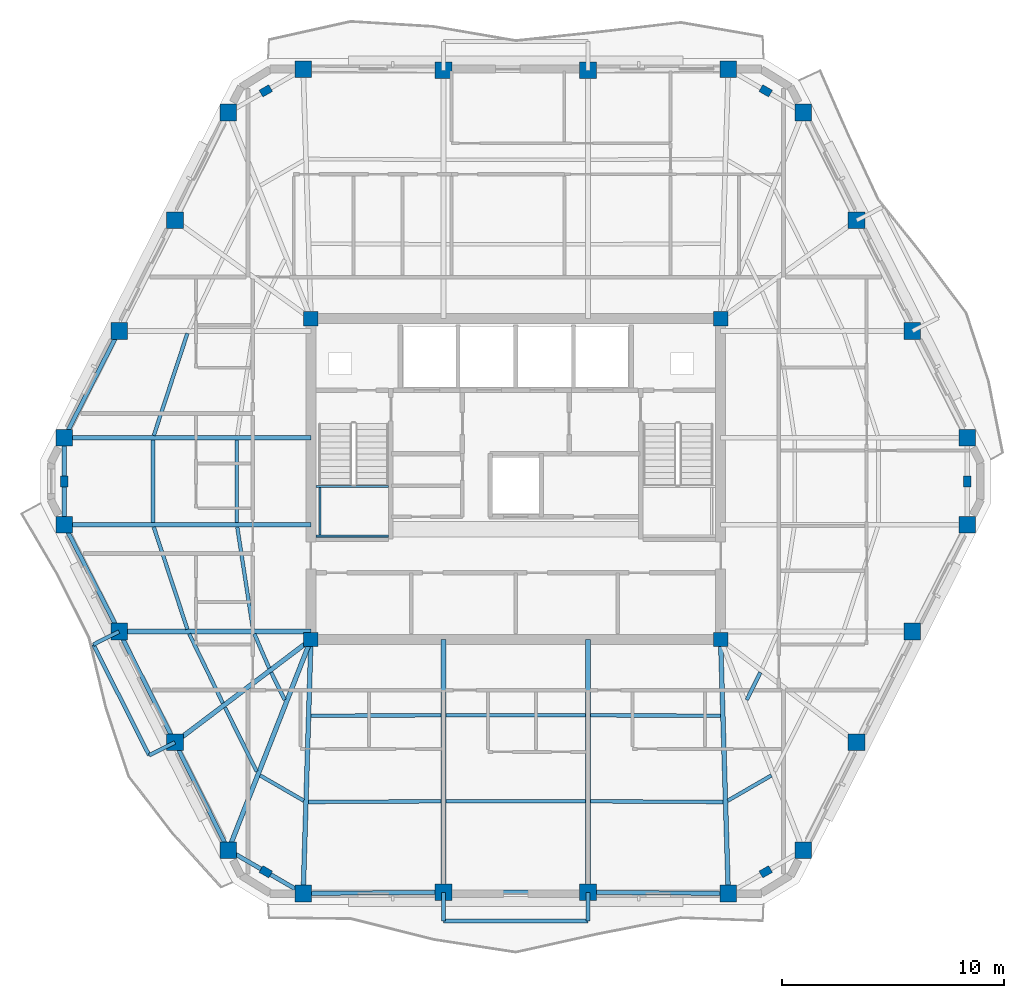
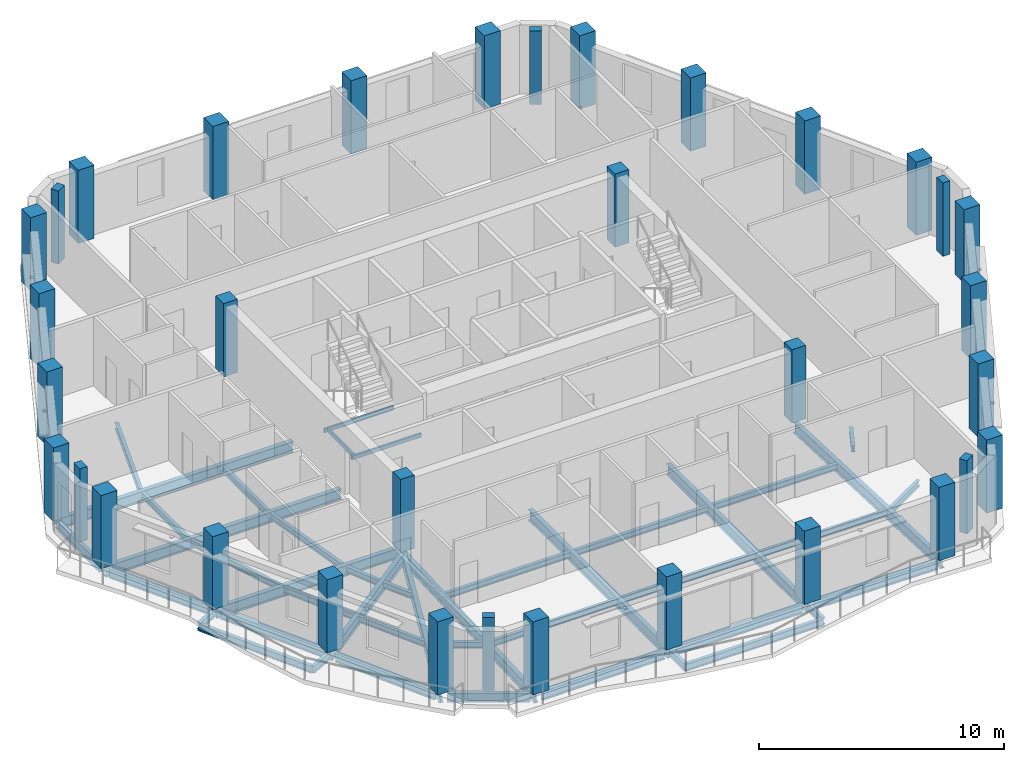
# One storey, part 1 of 11: 45 beams, 34 columns.
"""IFC4 building model written with IfcOpenShell, lengths in metres."""

from ifc_helpers import new_model, si_unit, direction, frame, origin, origin_2d, place, context, subcontext, project, spatial, rectangle, hollow_rectangle, i_section, extrude, material, material_profile, profile_set, type_object, element, save


model = new_model("IFC4")

# Units and contexts
model_context = context("Model", 3, precision=1e-05, world=origin(), true_north=direction((0.0, 1.0)))
body_context = subcontext(model_context, "Body", "Model", "MODEL_VIEW")
ifc_project = project(units=[si_unit("LENGTHUNIT", "METRE"), si_unit("AREAUNIT", "SQUARE_METRE"), si_unit("VOLUMEUNIT", "CUBIC_METRE"), si_unit("PLANEANGLEUNIT", "RADIAN"), si_unit("MASSUNIT", "GRAM", prefix="KILO")], contexts=[model_context])

# Site, building, storey
site_placement = place(None, origin())
site = spatial("IfcSite", under=ifc_project, at=site_placement, CompositionType="ELEMENT")
building_placement = place(site_placement, origin())
building = spatial("IfcBuilding", under=site, at=building_placement, Name="Cinnabar Lancet Tower", CompositionType="ELEMENT")
storey_placement = place(building_placement, frame((0.0, 0.0, 245.25)))
storey = spatial("IfcBuildingStorey", under=building, at=storey_placement, Name="L65", CompositionType="ELEMENT", Elevation=245.25)

# Columns
ifc_material_1 = material(Name="Concrete C50/60", Category="concrete")
ifc_material_profile_1 = material_profile(ifc_material_1, rectangle(XDim=0.64990234375, YDim=0.64990234375, at=origin_2d()), Name="RC-COL 650x650")
ifc_profile_set_1 = profile_set([ifc_material_profile_1], Name="Concrete C50/60")
column_type_1 = type_object("IfcColumnType", Name="STR-COL-CORE-650B", PredefinedType="COLUMN", material=ifc_profile_set_1)
for number, where, z_axis, x_axis, name in (
    (1, (23.175048828125, 18.675048828125, 0.0), (0.0, 0.0, 1.0), (1.0, 0.0, 0.0), "L65 Core Corner Column SW"),
    (2, (41.625, 18.675048828125, 0.0), (0.0, 0.0, 1.0), (1.0, 0.0, 0.0), "L65 Core Corner Column SE"),
    (3, (41.625, 33.125, 0.0), (0.0, 0.0, 1.0), (1.0, 0.0, 0.0), "L65 Core Corner Column NE"),
    (4, (23.175048828125, 33.125, 0.0), (0.0, 0.0, 1.0), (1.0, 0.0, 0.0), "L65 Core Corner Column NW"),
):
    element("IfcColumn", number, at=place(storey_placement, frame(where, z_axis=z_axis, x_axis=x_axis)), inside=storey, type_object=column_type_1, Name=name, PredefinedType="COLUMN", context=body_context, shape_type="SweptSolid", body=[
        extrude(rectangle(XDim=0.64990234375, YDim=0.64990234375, at=origin_2d()), origin(), (0.0, 0.0, 1.0), 3.64990234375),
    ])
ifc_material_2 = material(Name="Concrete C60/75", Category="concrete")
ifc_material_profile_2 = material_profile(ifc_material_2, rectangle(XDim=0.5, YDim=0.35009765625, at=origin_2d()), Name="RC-PIL 500x350")
ifc_profile_set_2 = profile_set([ifc_material_profile_2], Name="Concrete C60/75")
column_type_2 = type_object("IfcColumnType", Name="STR-COL-PIL-500", PredefinedType="PILASTER", material=ifc_profile_set_2)
for number, where, z_axis, x_axis, name in (
    (5, (21.14306640625, 8.215087890625, 0.0), (0.0, 0.0, 1.0), (0.865256437757, -0.501329529272, 0.0), "L65 Chamfered Corner Pilaster 1"),
    (6, (43.656982421875, 8.215087890625, 0.0), (0.0, 0.0, 1.0), (0.865256437757, 0.501329529272, 0.0), "L65 Chamfered Corner Pilaster 2"),
    (7, (52.737060546875, 25.800048828125, 0.0), (0.0, 0.0, 1.0), (0.0, 1.0, 0.0), "L65 Chamfered Corner Pilaster 3"),
    (8, (43.656982421875, 43.385009765625, 0.0), (0.0, 0.0, 1.0), (-0.865256437757, 0.501329529272, 0.0), "L65 Chamfered Corner Pilaster 4"),
    (9, (21.14306640625, 43.385009765625, 0.0), (0.0, 0.0, 1.0), (-0.865256437757, -0.501329529272, 0.0), "L65 Chamfered Corner Pilaster 5"),
    (10, (12.06298828125, 25.800048828125, 0.0), (0.0, 0.0, 1.0), (0.0, -1.0, 0.0), "L65 Chamfered Corner Pilaster 6"),
):
    element("IfcColumn", number, at=place(storey_placement, frame(where, z_axis=z_axis, x_axis=x_axis)), inside=storey, type_object=column_type_2, Name=name, PredefinedType="PILASTER", context=body_context, shape_type="SweptSolid", body=[
        extrude(rectangle(XDim=0.5, YDim=0.35009765625, at=origin_2d()), origin(), (0.0, 0.0, 1.0), 3.64990234375),
    ])
ifc_material_3 = material(Name="Concrete C50/60", Category="concrete")
ifc_material_profile_3 = material_profile(ifc_material_3, rectangle(XDim=0.75, YDim=0.75, at=origin_2d()), Name="RC-COL 750x750")
ifc_profile_set_3 = profile_set([ifc_material_profile_3], Name="Concrete C50/60")
column_type_3 = type_object("IfcColumnType", Name="STR-COL-TUBE-750", PredefinedType="COLUMN", material=ifc_profile_set_3)
for number, where, z_axis, x_axis, name in (
    (11, (22.827880859375, 7.239013671875, 0.0), (0.0, 0.0, 1.0), (1.0, 0.0, 0.0), "L65 Perimeter Tube Column 1"),
    (12, (29.14599609375, 7.2919921875, 0.0), (0.0, 0.0, 1.0), (1.0, 0.0, 0.0), "L65 Perimeter Tube Column 2"),
    (13, (35.654052734375, 7.2919921875, 0.0), (0.0, 0.0, 1.0), (1.0, 0.0, 0.0), "L65 Perimeter Tube Column 3"),
    (14, (41.971923828125, 7.239013671875, 0.0), (0.0, 0.0, 1.0), (1.0, 0.0, 0.0), "L65 Perimeter Tube Column 4"),
    (15, (45.341064453125, 9.19091796875, 0.0), (0.0, 0.0, 1.0), (1.0, 0.0, 0.0), "L65 Perimeter Tube Column 5"),
    (16, (47.7490234375, 14.0458984375, 0.0), (0.0, 0.0, 1.0), (1.0, 0.0, 0.0), "L65 Perimeter Tube Column 6"),
    (17, (50.263916015625, 19.032958984375, 0.0), (0.0, 0.0, 1.0), (1.0, 0.0, 0.0), "L65 Perimeter Tube Column 7"),
    (18, (52.737060546875, 23.844970703125, 0.0), (0.0, 0.0, 1.0), (1.0, 0.0, 0.0), "L65 Perimeter Tube Column 8"),
    (19, (52.737060546875, 27.7548828125, 0.0), (0.0, 0.0, 1.0), (1.0, 0.0, 0.0), "L65 Perimeter Tube Column 9"),
    (20, (50.263916015625, 32.56689453125, 0.0), (0.0, 0.0, 1.0), (1.0, 0.0, 0.0), "L65 Perimeter Tube Column 10"),
    (21, (47.7490234375, 37.553955078125, 0.0), (0.0, 0.0, 1.0), (1.0, 0.0, 0.0), "L65 Perimeter Tube Column 11"),
    (22, (45.341064453125, 42.408935546875, 0.0), (0.0, 0.0, 1.0), (1.0, 0.0, 0.0), "L65 Perimeter Tube Column 12"),
    (23, (41.971923828125, 44.361083984375, 0.0), (0.0, 0.0, 1.0), (1.0, 0.0, 0.0), "L65 Perimeter Tube Column 13"),
    (24, (35.654052734375, 44.30810546875, 0.0), (0.0, 0.0, 1.0), (1.0, 0.0, 0.0), "L65 Perimeter Tube Column 14"),
    (25, (29.14599609375, 44.30810546875, 0.0), (0.0, 0.0, 1.0), (1.0, 0.0, 0.0), "L65 Perimeter Tube Column 15"),
    (26, (22.827880859375, 44.361083984375, 0.0), (0.0, 0.0, 1.0), (1.0, 0.0, 0.0), "L65 Perimeter Tube Column 16"),
    (27, (19.458984375, 42.408935546875, 0.0), (0.0, 0.0, 1.0), (1.0, 0.0, 0.0), "L65 Perimeter Tube Column 17"),
    (28, (17.051025390625, 37.553955078125, 0.0), (0.0, 0.0, 1.0), (1.0, 0.0, 0.0), "L65 Perimeter Tube Column 18"),
    (29, (14.535888671875, 32.56689453125, 0.0), (0.0, 0.0, 1.0), (1.0, 0.0, 0.0), "L65 Perimeter Tube Column 19"),
    (30, (12.06298828125, 27.7548828125, 0.0), (0.0, 0.0, 1.0), (1.0, 0.0, 0.0), "L65 Perimeter Tube Column 20"),
    (31, (12.06298828125, 23.844970703125, 0.0), (0.0, 0.0, 1.0), (1.0, 0.0, 0.0), "L65 Perimeter Tube Column 21"),
    (32, (14.535888671875, 19.032958984375, 0.0), (0.0, 0.0, 1.0), (1.0, 0.0, 0.0), "L65 Perimeter Tube Column 22"),
    (33, (17.051025390625, 14.0458984375, 0.0), (0.0, 0.0, 1.0), (1.0, 0.0, 0.0), "L65 Perimeter Tube Column 23"),
    (34, (19.458984375, 9.19091796875, 0.0), (0.0, 0.0, 1.0), (1.0, 0.0, 0.0), "L65 Perimeter Tube Column 24"),
):
    element("IfcColumn", number, at=place(storey_placement, frame(where, z_axis=z_axis, x_axis=x_axis)), inside=storey, type_object=column_type_3, Name=name, PredefinedType="COLUMN", context=body_context, shape_type="SweptSolid", body=[
        extrude(rectangle(XDim=0.75, YDim=0.75, at=origin_2d()), origin(), (0.0, 0.0, 1.0), 3.64990234375),
    ])

# Beams
ifc_material_4 = material(Name="Structural steel S355", Category="steel")
ifc_material_profile_4 = material_profile(ifc_material_4, i_section(OverallWidth=0.1650390625, OverallDepth=0.303466796875, WebThickness=0.006103515625, FlangeThickness=0.01025390625, FilletRadius=0.0087890625, at=origin_2d()), Name="UKB 305x165x40")
ifc_profile_set_4 = profile_set([ifc_material_profile_4], Name="Structural steel S355")
beam_type_1 = type_object("IfcBeamType", Name="STR-BM-JST-305", PredefinedType="JOIST", material=ifc_profile_set_4)
beam_1_placement = place(storey_placement, frame((16.097900390625, 23.739990234375, -0.35205078125), z_axis=(0.312536616989, -0.949905712711, 0.0), x_axis=(0.949905712711, 0.312536616989, 0.0)))
element("IfcBeam", 35, at=beam_1_placement, inside=storey, type_object=beam_type_1, Name="L65 Secondary Floor Joist 1", PredefinedType="JOIST", context=body_context, shape_type="SweptSolid", body=[
    extrude(i_section(OverallWidth=0.1650390625, OverallDepth=0.303466796875, WebThickness=0.006103515625, FlangeThickness=0.01025390625, FilletRadius=0.0087890625, at=origin_2d()), origin(), (0.0, 0.0, 1.0), 4.8447265625),
])
beam_2_placement = place(storey_placement, frame((19.85791015625, 23.739990234375, -0.35205078125), z_axis=(0.152262059154, -0.988340156698, 0.0), x_axis=(0.988340156698, 0.152262059154, 0.0)))
element("IfcBeam", 36, at=beam_2_placement, inside=storey, type_object=beam_type_1, Name="L65 Secondary Floor Joist 2", PredefinedType="JOIST", context=body_context, shape_type="SweptSolid", body=[
    extrude(i_section(OverallWidth=0.1650390625, OverallDepth=0.303466796875, WebThickness=0.006103515625, FlangeThickness=0.01025390625, FilletRadius=0.0087890625, at=origin_2d()), origin(), (0.0, 0.0, 1.0), 4.65625),
])
beam_3_placement = place(storey_placement, frame((17.697021484375, 18.927978515625, -0.35205078125), z_axis=(0.43610936109, -0.899893674369, 0.0), x_axis=(0.899893674369, 0.43610936109, 0.0)))
element("IfcBeam", 37, at=beam_3_placement, inside=storey, type_object=beam_type_1, Name="L65 Secondary Floor Joist 3", PredefinedType="JOIST", context=body_context, shape_type="SweptSolid", body=[
    extrude(i_section(OverallWidth=0.1650390625, OverallDepth=0.303466796875, WebThickness=0.006103515625, FlangeThickness=0.01025390625, FilletRadius=0.0087890625, at=origin_2d()), origin(), (0.0, 0.0, 1.0), 3.467041015625),
])
beam_4_placement = place(storey_placement, frame((20.62890625, 18.927978515625, -0.35205078125), z_axis=(0.396302440144, -0.91812002262, 0.0), x_axis=(0.91812002262, 0.396302440144, 0.0)))
element("IfcBeam", 38, at=beam_4_placement, inside=storey, type_object=beam_type_1, Name="L65 Secondary Floor Joist 4", PredefinedType="JOIST", context=body_context, shape_type="SweptSolid", body=[
    extrude(i_section(OverallWidth=0.1650390625, OverallDepth=0.303466796875, WebThickness=0.006103515625, FlangeThickness=0.01025390625, FilletRadius=0.0087890625, at=origin_2d()), origin(), (0.0, 0.0, 1.0), 1.6806640625),
])
beam_5_placement = place(storey_placement, frame((19.302978515625, 15.616943359375, -0.35205078125), z_axis=(0.444330443712, -0.895862967641, 0.0), x_axis=(0.895862967641, 0.444330443712, 0.0)))
element("IfcBeam", 39, at=beam_5_placement, inside=storey, type_object=beam_type_1, Name="L65 Secondary Floor Joist 5", PredefinedType="JOIST", context=body_context, shape_type="SweptSolid", body=[
    extrude(i_section(OverallWidth=0.1650390625, OverallDepth=0.303466796875, WebThickness=0.006103515625, FlangeThickness=0.01025390625, FilletRadius=0.0087890625, at=origin_2d()), origin(), (0.0, 0.0, 1.0), 3.220458984375),
])
beam_6_placement = place(storey_placement, frame((21.385009765625, 17.19091796875, -0.35205078125), z_axis=(0.444093192127, -0.89598060063, 0.0), x_axis=(0.89598060063, 0.444093192127, 0.0)))
element("IfcBeam", 40, at=beam_6_placement, inside=storey, type_object=beam_type_1, Name="L65 Secondary Floor Joist 6", PredefinedType="JOIST", context=body_context, shape_type="SweptSolid", body=[
    extrude(i_section(OverallWidth=0.1650390625, OverallDepth=0.303466796875, WebThickness=0.006103515625, FlangeThickness=0.01025390625, FilletRadius=0.0087890625, at=origin_2d()), origin(), (0.0, 0.0, 1.0), 1.378173828125),
])
beam_7_placement = place(storey_placement, frame((20.887939453125, 12.552001953125, -0.35205078125), z_axis=(0.865426285481, -0.501036270542, 0.0), x_axis=(0.501036270542, 0.865426285481, 0.0)))
element("IfcBeam", 41, at=beam_7_placement, inside=storey, type_object=beam_type_1, Name="L65 Secondary Floor Joist 7", PredefinedType="JOIST", context=body_context, shape_type="SweptSolid", body=[
    extrude(i_section(OverallWidth=0.1650390625, OverallDepth=0.303466796875, WebThickness=0.006103515625, FlangeThickness=0.01025390625, FilletRadius=0.0087890625, at=origin_2d()), origin(), (0.0, 0.0, 1.0), 2.267333984375),
])
beam_8_placement = place(storey_placement, frame((23.05810546875, 11.35693359375, -0.35205078125), z_axis=(0.999985712428, 0.005345553266, 0.0), x_axis=(-0.005345553266, 0.999985712428, 0.0)))
element("IfcBeam", 42, at=beam_8_placement, inside=storey, type_object=beam_type_1, Name="L65 Secondary Floor Joist 8", PredefinedType="JOIST", context=body_context, shape_type="SweptSolid", body=[
    extrude(i_section(OverallWidth=0.1650390625, OverallDepth=0.303466796875, WebThickness=0.006103515625, FlangeThickness=0.01025390625, FilletRadius=0.0087890625, at=origin_2d()), origin(), (0.0, 0.0, 1.0), 5.98291015625),
])
beam_9_placement = place(storey_placement, frame((23.176025390625, 15.243896484375, -0.35205078125), z_axis=(0.999996226008, 0.002747356738, 0.0), x_axis=(-0.002747356738, 0.999996226008, 0.0)))
element("IfcBeam", 43, at=beam_9_placement, inside=storey, type_object=beam_type_1, Name="L65 Secondary Floor Joist 9", PredefinedType="JOIST", context=body_context, shape_type="SweptSolid", body=[
    extrude(i_section(OverallWidth=0.1650390625, OverallDepth=0.303466796875, WebThickness=0.006103515625, FlangeThickness=0.01025390625, FilletRadius=0.0087890625, at=origin_2d()), origin(), (0.0, 0.0, 1.0), 5.864990234375),
])
for number, where, z_axis, x_axis, name in (
    (44, (29.2509765625, 11.389892578125, -0.35205078125), (1.0, 0.0, 0.0), (0.0, 1.0, 0.0), "L65 Secondary Floor Joist 10"),
    (45, (29.2509765625, 15.260009765625, -0.35205078125), (1.0, 0.0, 0.0), (0.0, 1.0, 0.0), "L65 Secondary Floor Joist 11"),
):
    element("IfcBeam", number, at=place(storey_placement, frame(where, z_axis=z_axis, x_axis=x_axis)), inside=storey, type_object=beam_type_1, Name=name, PredefinedType="JOIST", context=body_context, shape_type="SweptSolid", body=[
        extrude(i_section(OverallWidth=0.1650390625, OverallDepth=0.303466796875, WebThickness=0.006103515625, FlangeThickness=0.01025390625, FilletRadius=0.0087890625, at=origin_2d()), origin(), (0.0, 0.0, 1.0), 6.298095703125),
    ])
beam_10_placement = place(storey_placement, frame((35.759033203125, 11.388916015625, -0.35205078125), z_axis=(0.999985712428, -0.005345553266, 0.0), x_axis=(0.005345553266, 0.999985712428, 0.0)))
element("IfcBeam", 46, at=beam_10_placement, inside=storey, type_object=beam_type_1, Name="L65 Secondary Floor Joist 12", PredefinedType="JOIST", context=body_context, shape_type="SweptSolid", body=[
    extrude(i_section(OverallWidth=0.1650390625, OverallDepth=0.303466796875, WebThickness=0.006103515625, FlangeThickness=0.01025390625, FilletRadius=0.0087890625, at=origin_2d()), origin(), (0.0, 0.0, 1.0), 5.98291015625),
])
beam_11_placement = place(storey_placement, frame((35.759033203125, 15.260009765625, -0.35205078125), z_axis=(0.999996226008, -0.002747356738, 0.0), x_axis=(0.002747356738, 0.999996226008, 0.0)))
element("IfcBeam", 47, at=beam_11_placement, inside=storey, type_object=beam_type_1, Name="L65 Secondary Floor Joist 13", PredefinedType="JOIST", context=body_context, shape_type="SweptSolid", body=[
    extrude(i_section(OverallWidth=0.1650390625, OverallDepth=0.303466796875, WebThickness=0.006103515625, FlangeThickness=0.01025390625, FilletRadius=0.0087890625, at=origin_2d()), origin(), (0.0, 0.0, 1.0), 5.864990234375),
])
beam_12_placement = place(storey_placement, frame((41.949951171875, 11.416015625, -0.35205078125), z_axis=(0.865426285481, 0.501036270542, 0.0), x_axis=(-0.501036270542, 0.865426285481, 0.0)))
element("IfcBeam", 48, at=beam_12_placement, inside=storey, type_object=beam_type_1, Name="L65 Secondary Floor Joist 14", PredefinedType="JOIST", context=body_context, shape_type="SweptSolid", body=[
    extrude(i_section(OverallWidth=0.1650390625, OverallDepth=0.303466796875, WebThickness=0.006103515625, FlangeThickness=0.01025390625, FilletRadius=0.0087890625, at=origin_2d()), origin(), (0.0, 0.0, 1.0), 2.267333984375),
])
beam_13_placement = place(storey_placement, frame((42.802978515625, 15.9560546875, -0.35205078125), z_axis=(0.444093192127, 0.89598060063, 0.0), x_axis=(-0.89598060063, 0.444093192127, 0.0)))
element("IfcBeam", 49, at=beam_13_placement, inside=storey, type_object=beam_type_1, Name="L65 Secondary Floor Joist 16", PredefinedType="JOIST", context=body_context, shape_type="SweptSolid", body=[
    extrude(i_section(OverallWidth=0.1650390625, OverallDepth=0.303466796875, WebThickness=0.006103515625, FlangeThickness=0.01025390625, FilletRadius=0.0087890625, at=origin_2d()), origin(), (0.0, 0.0, 1.0), 1.378173828125),
])
beam_14_placement = place(storey_placement, frame((17.612060546875, 32.4619140625, -0.35205078125), z_axis=(-0.312551578319, -0.949900790025, 0.0), x_axis=(0.949900790025, -0.312551578319, 0.0)))
element("IfcBeam", 50, at=beam_14_placement, inside=storey, type_object=beam_type_1, Name="L65 Secondary Floor Joist 41", PredefinedType="JOIST", context=body_context, shape_type="SweptSolid", body=[
    extrude(i_section(OverallWidth=0.1650390625, OverallDepth=0.303466796875, WebThickness=0.006103515625, FlangeThickness=0.01025390625, FilletRadius=0.0087890625, at=origin_2d()), origin(), (0.0, 0.0, 1.0), 4.844482421875),
])
for number, where, z_axis, x_axis, name in (
    (51, (16.06298828125, 27.64990234375, -0.35205078125), (0.0, -1.0, 0.0), (1.0, 0.0, 0.0), "L65 Secondary Floor Joist 43"),
    (52, (19.841064453125, 27.64990234375, -0.35205078125), (0.0, -1.0, 0.0), (1.0, 0.0, 0.0), "L65 Secondary Floor Joist 44"),
):
    element("IfcBeam", number, at=place(storey_placement, frame(where, z_axis=z_axis, x_axis=x_axis)), inside=storey, type_object=beam_type_1, Name=name, PredefinedType="JOIST", context=body_context, shape_type="SweptSolid", body=[
        extrude(i_section(OverallWidth=0.1650390625, OverallDepth=0.303466796875, WebThickness=0.006103515625, FlangeThickness=0.01025390625, FilletRadius=0.0087890625, at=origin_2d()), origin(), (0.0, 0.0, 1.0), 3.699951171875),
    ])
ifc_material_5 = material(Name="Structural steel S355", Category="steel")
ifc_material_profile_5 = material_profile(ifc_material_5, hollow_rectangle(XDim=0.10009765625, YDim=0.199951171875, WallThickness=0.008056640625, InnerFilletRadius=0.00390625, OuterFilletRadius=0.011962890625, at=origin_2d()), Name="RHS 200x100x8")
ifc_profile_set_5 = profile_set([ifc_material_profile_5], Name="Structural steel S355")
beam_type_2 = type_object("IfcBeamType", Name="STR-BM-LND-203", PredefinedType="BEAM", material=ifc_profile_set_5)
for number, where, z_axis, x_axis, name in (
    (53, (23.39990234375, 23.330078125, 1.52490234375), (1.0, 0.0, 0.0), (0.0, 1.0, 0.0), "L65 ST-1-L65 Landing Support Beam S"),
    (54, (23.39990234375, 25.570068359375, 1.52490234375), (1.0, 0.0, 0.0), (0.0, 1.0, 0.0), "L65 ST-1-L65 Landing Support Beam N"),
):
    element("IfcBeam", number, at=place(storey_placement, frame(where, z_axis=z_axis, x_axis=x_axis)), inside=storey, type_object=beam_type_2, Name=name, PredefinedType="BEAM", context=body_context, shape_type="SweptSolid", body=[
        extrude(hollow_rectangle(XDim=0.10009765625, YDim=0.199951171875, WallThickness=0.008056640625, InnerFilletRadius=0.00390625, OuterFilletRadius=0.011962890625, at=origin_2d()), origin(), (0.0, 0.0, 1.0), 3.280029296875),
    ])
beam_15_placement = place(storey_placement, frame((23.580078125, 23.3798828125, 1.52490234375), z_axis=(0.0, 1.0, 0.0), x_axis=(-1.0, 0.0, 0.0)))
element("IfcBeam", 55, at=beam_15_placement, inside=storey, type_object=beam_type_2, Name="L65 ST-1-L65 Landing Side Trimmer Beam", PredefinedType="BEAM", context=body_context, shape_type="SweptSolid", body=[
    extrude(hollow_rectangle(XDim=0.10009765625, YDim=0.199951171875, WallThickness=0.008056640625, InnerFilletRadius=0.00390625, OuterFilletRadius=0.011962890625, at=origin_2d()), origin(), (0.0, 0.0, 1.0), 2.14013671875),
])
ifc_material_6 = material(Name="Structural steel S355", Category="steel")
ifc_material_profile_6 = material_profile(ifc_material_6, i_section(OverallWidth=0.1904296875, OverallDepth=0.45703125, WebThickness=0.009033203125, FlangeThickness=0.014404296875, FilletRadius=0.01025390625, at=origin_2d()), Name="UKB 457x191x74")
ifc_profile_set_6 = profile_set([ifc_material_profile_6], Name="Structural steel S355")
beam_type_3 = type_object("IfcBeamType", Name="STR-BM-SPN-457", PredefinedType="SPANDREL", material=ifc_profile_set_6)
beam_16_placement = place(storey_placement, frame((23.077880859375, 7.240966796875, -0.427978515625), z_axis=(0.999964432412, 0.008434092187, 0.0), x_axis=(-0.008434092187, 0.999964432412, 0.0)))
element("IfcBeam", 56, at=beam_16_placement, inside=storey, type_object=beam_type_3, Name="L65 Perimeter Spandrel 1", PredefinedType="SPANDREL", context=body_context, shape_type="SweptSolid", body=[
    extrude(i_section(OverallWidth=0.1904296875, OverallDepth=0.45703125, WebThickness=0.009033203125, FlangeThickness=0.014404296875, FilletRadius=0.01025390625, at=origin_2d()), origin(), (0.0, 0.0, 1.0), 5.818359375),
])
beam_17_placement = place(storey_placement, frame((29.39599609375, 7.2919921875, -0.427978515625), z_axis=(1.0, 0.0, 0.0), x_axis=(0.0, 1.0, 0.0)))
element("IfcBeam", 57, at=beam_17_placement, inside=storey, type_object=beam_type_3, Name="L65 Perimeter Spandrel 2", PredefinedType="SPANDREL", context=body_context, shape_type="SweptSolid", body=[
    extrude(i_section(OverallWidth=0.1904296875, OverallDepth=0.45703125, WebThickness=0.009033203125, FlangeThickness=0.014404296875, FilletRadius=0.01025390625, at=origin_2d()), origin(), (0.0, 0.0, 1.0), 6.008056640625),
])
beam_18_placement = place(storey_placement, frame((35.904052734375, 7.2900390625, -0.427978515625), z_axis=(0.999964429427, -0.00843444609, 0.0), x_axis=(0.00843444609, 0.999964429427, 0.0)))
element("IfcBeam", 58, at=beam_18_placement, inside=storey, type_object=beam_type_3, Name="L65 Perimeter Spandrel 3", PredefinedType="SPANDREL", context=body_context, shape_type="SweptSolid", body=[
    extrude(i_section(OverallWidth=0.1904296875, OverallDepth=0.45703125, WebThickness=0.009033203125, FlangeThickness=0.014404296875, FilletRadius=0.01025390625, at=origin_2d()), origin(), (0.0, 0.0, 1.0), 5.818115234375),
])
beam_19_placement = place(storey_placement, frame((14.422119140625, 32.344970703125, -0.427978515625), z_axis=(-0.457148063427, -0.889390604912, 0.0), x_axis=(0.889390604912, -0.457148063427, 0.0)))
element("IfcBeam", 59, at=beam_19_placement, inside=storey, type_object=beam_type_3, Name="L65 Perimeter Spandrel 19", PredefinedType="SPANDREL", context=body_context, shape_type="SweptSolid", body=[
    extrude(i_section(OverallWidth=0.1904296875, OverallDepth=0.45703125, WebThickness=0.009033203125, FlangeThickness=0.014404296875, FilletRadius=0.01025390625, at=origin_2d()), origin(), (0.0, 0.0, 1.0), 4.9111328125),
])
beam_20_placement = place(storey_placement, frame((12.06298828125, 27.5048828125, -0.427978515625), z_axis=(0.0, -1.0, 0.0), x_axis=(1.0, 0.0, 0.0)))
element("IfcBeam", 60, at=beam_20_placement, inside=storey, type_object=beam_type_3, Name="L65 Perimeter Spandrel 20", PredefinedType="SPANDREL", context=body_context, shape_type="SweptSolid", body=[
    extrude(i_section(OverallWidth=0.1904296875, OverallDepth=0.45703125, WebThickness=0.009033203125, FlangeThickness=0.014404296875, FilletRadius=0.01025390625, at=origin_2d()), origin(), (0.0, 0.0, 1.0), 3.409912109375),
])
beam_21_placement = place(storey_placement, frame((12.177001953125, 23.623046875, -0.427978515625), z_axis=(0.457127852293, -0.889400993174, 0.0), x_axis=(0.889400993174, 0.457127852293, 0.0)))
element("IfcBeam", 61, at=beam_21_placement, inside=storey, type_object=beam_type_3, Name="L65 Perimeter Spandrel 21", PredefinedType="SPANDREL", context=body_context, shape_type="SweptSolid", body=[
    extrude(i_section(OverallWidth=0.1904296875, OverallDepth=0.45703125, WebThickness=0.009033203125, FlangeThickness=0.014404296875, FilletRadius=0.01025390625, at=origin_2d()), origin(), (0.0, 0.0, 1.0), 4.911376953125),
])
beam_22_placement = place(storey_placement, frame((14.64892578125, 18.81005859375, -0.427978515625), z_axis=(0.450130146726, -0.892962961722, 0.0), x_axis=(0.892962961722, 0.450130146726, 0.0)))
element("IfcBeam", 62, at=beam_22_placement, inside=storey, type_object=beam_type_3, Name="L65 Perimeter Spandrel 22", PredefinedType="SPANDREL", context=body_context, shape_type="SweptSolid", body=[
    extrude(i_section(OverallWidth=0.1904296875, OverallDepth=0.45703125, WebThickness=0.009033203125, FlangeThickness=0.014404296875, FilletRadius=0.01025390625, at=origin_2d()), origin(), (0.0, 0.0, 1.0), 5.08544921875),
])
beam_23_placement = place(storey_placement, frame((17.162109375, 13.822021484375, -0.427978515625), z_axis=(0.44433276947, -0.895861814107, 0.0), x_axis=(0.895861814107, 0.44433276947, 0.0)))
element("IfcBeam", 63, at=beam_23_placement, inside=storey, type_object=beam_type_3, Name="L65 Perimeter Spandrel 23", PredefinedType="SPANDREL", context=body_context, shape_type="SweptSolid", body=[
    extrude(i_section(OverallWidth=0.1904296875, OverallDepth=0.45703125, WebThickness=0.009033203125, FlangeThickness=0.014404296875, FilletRadius=0.01025390625, at=origin_2d()), origin(), (0.0, 0.0, 1.0), 4.919189453125),
])
beam_24_placement = place(storey_placement, frame((19.675048828125, 9.06591796875, -0.427978515625), z_axis=(0.865230894194, -0.50137361292, 0.0), x_axis=(0.50137361292, 0.865230894194, 0.0)))
element("IfcBeam", 64, at=beam_24_placement, inside=storey, type_object=beam_type_3, Name="L65 Perimeter Spandrel 24", PredefinedType="SPANDREL", context=body_context, shape_type="SweptSolid", body=[
    extrude(i_section(OverallWidth=0.1904296875, OverallDepth=0.45703125, WebThickness=0.009033203125, FlangeThickness=0.014404296875, FilletRadius=0.01025390625, at=origin_2d()), origin(), (0.0, 0.0, 1.0), 3.39453125),
])
ifc_material_7 = material(Name="Structural steel S355", Category="steel")
ifc_material_profile_7 = material_profile(ifc_material_7, i_section(OverallWidth=0.209228515625, OverallDepth=0.533203125, WebThickness=0.010009765625, FlangeThickness=0.015625, FilletRadius=0.0126953125, at=origin_2d()), Name="UKB 533x210x92")
ifc_profile_set_7 = profile_set([ifc_material_profile_7], Name="Structural steel S355")
beam_type_4 = type_object("IfcBeamType", Name="STR-BM-UKB533-92", PredefinedType="BEAM", material=ifc_profile_set_7)
beam_25_placement = place(storey_placement, frame((17.051025390625, 14.0458984375, -0.467041015625), z_axis=(0.797735075719, 0.603008083667, 0.0), x_axis=(-0.603008083667, 0.797735075719, 0.0)))
element("IfcBeam", 65, at=beam_25_placement, inside=storey, type_object=beam_type_4, Name="L65 Corner Collector Girder 1", PredefinedType="BEAM", context=body_context, shape_type="SweptSolid", body=[
    extrude(i_section(OverallWidth=0.209228515625, OverallDepth=0.533203125, WebThickness=0.010009765625, FlangeThickness=0.015625, FilletRadius=0.0126953125, at=origin_2d()), origin(), (0.0, 0.0, 1.0), 7.6767578125),
])
beam_26_placement = place(storey_placement, frame((22.827880859375, 7.239013671875, -0.467041015625), z_axis=(0.030343393029, 0.999539533235, 0.0), x_axis=(-0.999539533235, 0.030343393029, 0.0)))
element("IfcBeam", 66, at=beam_26_placement, inside=storey, type_object=beam_type_4, Name="L65 Primary Floor Girder 1", PredefinedType="BEAM", context=body_context, shape_type="SweptSolid", body=[
    extrude(i_section(OverallWidth=0.209228515625, OverallDepth=0.533203125, WebThickness=0.010009765625, FlangeThickness=0.015625, FilletRadius=0.0126953125, at=origin_2d()), origin(), (0.0, 0.0, 1.0), 11.44140625),
])
for number, where, z_axis, x_axis, name in (
    (67, (29.14599609375, 7.2919921875, -0.467041015625), (0.0, 1.0, 0.0), (-1.0, 0.0, 0.0), "L65 Primary Floor Girder 2"),
    (68, (35.654052734375, 7.2919921875, -0.467041015625), (0.0, 1.0, 0.0), (-1.0, 0.0, 0.0), "L65 Primary Floor Girder 3"),
):
    element("IfcBeam", number, at=place(storey_placement, frame(where, z_axis=z_axis, x_axis=x_axis)), inside=storey, type_object=beam_type_4, Name=name, PredefinedType="BEAM", context=body_context, shape_type="SweptSolid", body=[
        extrude(i_section(OverallWidth=0.209228515625, OverallDepth=0.533203125, WebThickness=0.010009765625, FlangeThickness=0.015625, FilletRadius=0.0126953125, at=origin_2d()), origin(), (0.0, 0.0, 1.0), 11.383056640625),
    ])
beam_27_placement = place(storey_placement, frame((41.971923828125, 7.239013671875, -0.467041015625), z_axis=(-0.030322074123, 0.999540180193, 0.0), x_axis=(-0.999540180193, -0.030322074123, 0.0)))
element("IfcBeam", 69, at=beam_27_placement, inside=storey, type_object=beam_type_4, Name="L65 Primary Floor Girder 4", PredefinedType="BEAM", context=body_context, shape_type="SweptSolid", body=[
    extrude(i_section(OverallWidth=0.209228515625, OverallDepth=0.533203125, WebThickness=0.010009765625, FlangeThickness=0.015625, FilletRadius=0.0126953125, at=origin_2d()), origin(), (0.0, 0.0, 1.0), 11.44140625),
])
for number, where, z_axis, x_axis, name in (
    (70, (12.06298828125, 27.7548828125, -0.467041015625), (1.0, 0.0, 0.0), (0.0, 1.0, 0.0), "L65 Primary Floor Girder 20"),
    (71, (12.06298828125, 23.844970703125, -0.467041015625), (1.0, 0.0, 0.0), (0.0, 1.0, 0.0), "L65 Primary Floor Girder 21"),
):
    element("IfcBeam", number, at=place(storey_placement, frame(where, z_axis=z_axis, x_axis=x_axis)), inside=storey, type_object=beam_type_4, Name=name, PredefinedType="BEAM", context=body_context, shape_type="SweptSolid", body=[
        extrude(i_section(OverallWidth=0.209228515625, OverallDepth=0.533203125, WebThickness=0.010009765625, FlangeThickness=0.015625, FilletRadius=0.0126953125, at=origin_2d()), origin(), (0.0, 0.0, 1.0), 11.112060546875),
    ])
beam_28_placement = place(storey_placement, frame((14.535888671875, 19.032958984375, -0.467041015625), z_axis=(1.0, 0.0, 0.0), x_axis=(0.0, 1.0, 0.0)))
element("IfcBeam", 72, at=beam_28_placement, inside=storey, type_object=beam_type_4, Name="L65 Primary Floor Girder 22", PredefinedType="BEAM", context=body_context, shape_type="SweptSolid", body=[
    extrude(i_section(OverallWidth=0.209228515625, OverallDepth=0.533203125, WebThickness=0.010009765625, FlangeThickness=0.015625, FilletRadius=0.0126953125, at=origin_2d()), origin(), (0.0, 0.0, 1.0), 8.63916015625),
])
beam_29_placement = place(storey_placement, frame((19.458984375, 9.19091796875, -0.467041015625), z_axis=(0.364815017375, 0.931080019707, 0.0), x_axis=(-0.931080019707, 0.364815017375, 0.0)))
element("IfcBeam", 73, at=beam_29_placement, inside=storey, type_object=beam_type_4, Name="L65 Primary Floor Girder 24", PredefinedType="BEAM", context=body_context, shape_type="SweptSolid", body=[
    extrude(i_section(OverallWidth=0.209228515625, OverallDepth=0.533203125, WebThickness=0.010009765625, FlangeThickness=0.015625, FilletRadius=0.0126953125, at=origin_2d()), origin(), (0.0, 0.0, 1.0), 10.186279296875),
])
ifc_material_8 = material(Name="Structural steel S355", Category="steel")
ifc_material_profile_8 = material_profile(ifc_material_8, i_section(OverallWidth=0.17138671875, OverallDepth=0.35498046875, WebThickness=0.00732421875, FlangeThickness=0.011474609375, FilletRadius=0.01025390625, at=origin_2d()), Name="UKB 356x171x51")
ifc_profile_set_8 = profile_set([ifc_material_profile_8], Name="Structural steel S355")
beam_type_5 = type_object("IfcBeamType", Name="STR-BM-WAV-OUT", PredefinedType="BEAM", material=ifc_profile_set_8)
for number, where, z_axis, x_axis, name in (
    (74, (29.14599609375, 7.2919921875, -0.39794921875), (0.0, -1.0, 0.0), (1.0, 0.0, 0.0), "L65 Face 1 Balcony Outlooker A"),
    (75, (35.654052734375, 7.2919921875, -0.39794921875), (0.0, -1.0, 0.0), (1.0, 0.0, 0.0), "L65 Face 1 Balcony Outlooker B"),
    (76, (14.535888671875, 19.032958984375, -0.39794921875), (-0.89227592947, -0.451490493464, 0.0), (0.451490493464, -0.89227592947, 0.0), "L65 Face 6 Balcony Outlooker A"),
    (77, (17.051025390625, 14.0458984375, -0.39794921875), (-0.89227592947, -0.451490493464, 0.0), (0.451490493464, -0.89227592947, 0.0), "L65 Face 6 Balcony Outlooker B"),
):
    element("IfcBeam", number, at=place(storey_placement, frame(where, z_axis=z_axis, x_axis=x_axis)), inside=storey, type_object=beam_type_5, Name=name, PredefinedType="BEAM", context=body_context, shape_type="SweptSolid", body=[
        extrude(i_section(OverallWidth=0.17138671875, OverallDepth=0.35498046875, WebThickness=0.00732421875, FlangeThickness=0.011474609375, FilletRadius=0.01025390625, at=origin_2d()), origin(), (0.0, 0.0, 1.0), 1.300048828125),
    ])
ifc_material_9 = material(Name="Structural steel S355", Category="steel")
ifc_material_profile_9 = material_profile(ifc_material_9, i_section(OverallWidth=0.17138671875, OverallDepth=0.35498046875, WebThickness=0.00732421875, FlangeThickness=0.011474609375, FilletRadius=0.01025390625, at=origin_2d()), Name="UKB 356x171x51")
ifc_profile_set_9 = profile_set([ifc_material_profile_9], Name="Structural steel S355")
beam_type_6 = type_object("IfcBeamType", Name="STR-BM-WAV-TRIM", PredefinedType="SPANDREL", material=ifc_profile_set_9)
beam_30_placement = place(storey_placement, frame((29.14599609375, 5.991943359375, -0.39794921875), z_axis=(1.0, 0.0, 0.0), x_axis=(0.0, 1.0, 0.0)))
element("IfcBeam", 78, at=beam_30_placement, inside=storey, type_object=beam_type_6, Name="L65 Face 1 Balcony Edge Trimmer", PredefinedType="SPANDREL", context=body_context, shape_type="SweptSolid", body=[
    extrude(i_section(OverallWidth=0.17138671875, OverallDepth=0.35498046875, WebThickness=0.00732421875, FlangeThickness=0.011474609375, FilletRadius=0.01025390625, at=origin_2d()), origin(), (0.0, 0.0, 1.0), 6.508056640625),
])
beam_31_placement = place(storey_placement, frame((13.3759765625, 18.446044921875, -0.39794921875), z_axis=(0.450305622338, -0.892874485295, 0.0), x_axis=(0.892874485295, 0.450305622338, 0.0)))
element("IfcBeam", 79, at=beam_31_placement, inside=storey, type_object=beam_type_6, Name="L65 Face 6 Balcony Edge Trimmer", PredefinedType="SPANDREL", context=body_context, shape_type="SweptSolid", body=[
    extrude(i_section(OverallWidth=0.17138671875, OverallDepth=0.35498046875, WebThickness=0.00732421875, FlangeThickness=0.011474609375, FilletRadius=0.01025390625, at=origin_2d()), origin(), (0.0, 0.0, 1.0), 5.58544921875),
])

save(model, "model.ifc")
